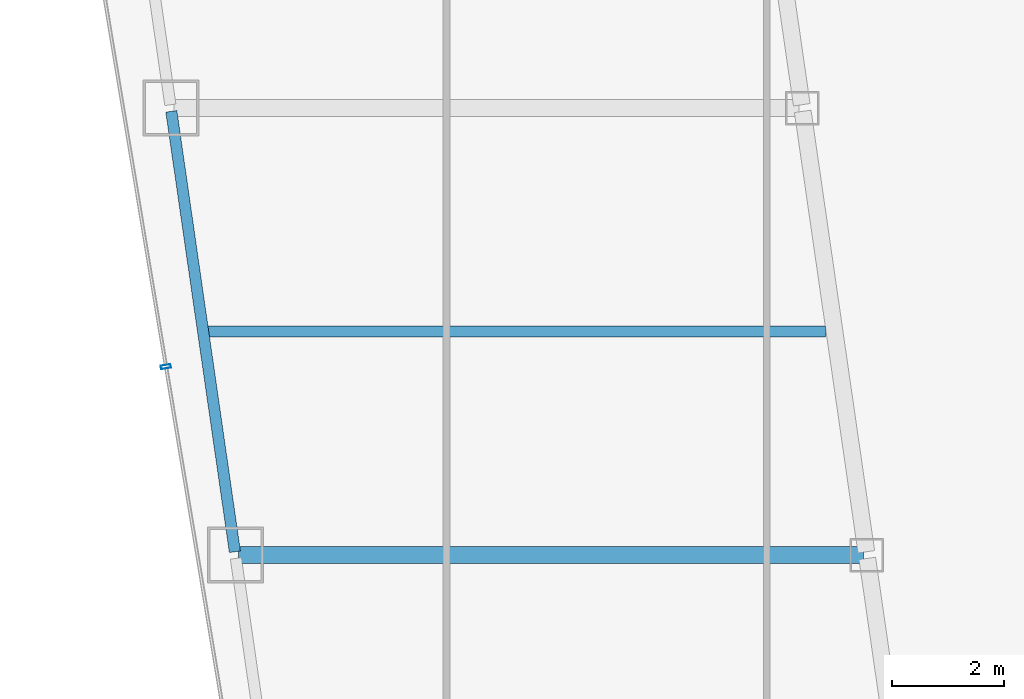
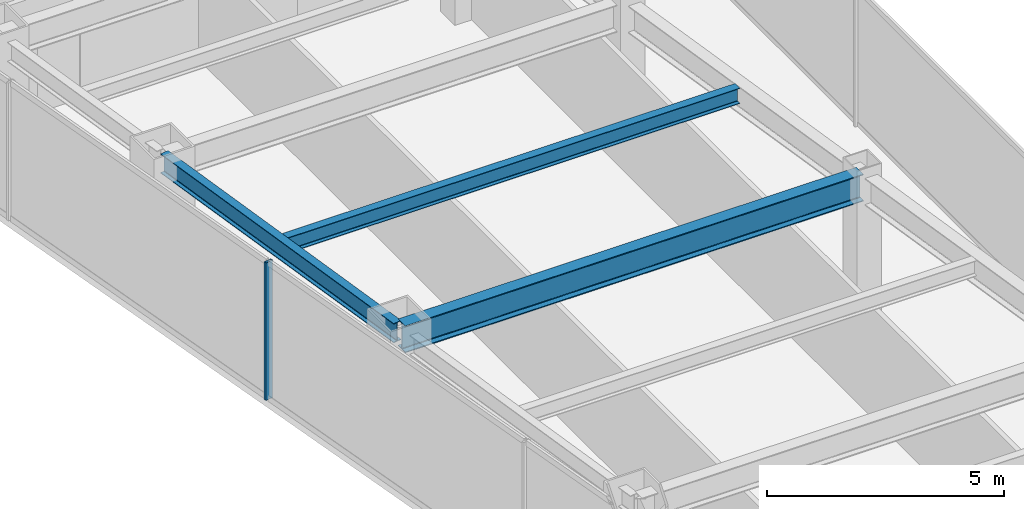
# One storey, part 10 of 40: 3 beams, 1 member, 1 element without a shape of its own.
"""IFC4 building model written with IfcOpenShell, lengths in metres."""

from ifc_helpers import new_model, si_unit, direction, frame, origin, origin_2d, place, context, subcontext, project, spatial, hollow_rectangle, i_section, extrude, material, material_profile, profile_set, type_object, element, aggregate, save


model = new_model("IFC4")

# Units and contexts
model_context = context("Model", 3, precision=1e-05, world=origin(), true_north=direction((0.0, 1.0)))
body_context = subcontext(model_context, "Body", "Model", "MODEL_VIEW")
ifc_project = project(units=[si_unit("LENGTHUNIT", "METRE"), si_unit("AREAUNIT", "SQUARE_METRE"), si_unit("VOLUMEUNIT", "CUBIC_METRE"), si_unit("PLANEANGLEUNIT", "RADIAN"), si_unit("MASSUNIT", "GRAM", prefix="KILO")], contexts=[model_context])

# Site, building, storey
site_placement = place(None, origin())
site = spatial("IfcSite", under=ifc_project, at=site_placement, CompositionType="ELEMENT")
building_placement = place(site_placement, origin())
building = spatial("IfcBuilding", under=site, at=building_placement, Name="Saevonmaru Cultural Tower", CompositionType="ELEMENT")
storey_placement = place(building_placement, frame((0.0, 0.0, 129.60009765625)))
storey = spatial("IfcBuildingStorey", under=building, at=storey_placement, Name="L27", CompositionType="ELEMENT", Elevation=129.60009765625)

# Beams
ifc_material_1 = material(Name="Steel SM355", Category="steel")
ifc_material_profile_1 = material_profile(ifc_material_1, i_section(OverallWidth=0.300048828125, OverallDepth=0.699951171875, WebThickness=0.012939453125, FlangeThickness=0.02392578125, FilletRadius=0.02587890625, at=origin_2d()), Name="H-700x300x13x24")
ifc_profile_set_1 = profile_set([ifc_material_profile_1], Name="Steel SM355")
beam_type_1 = type_object("IfcBeamType", Name="BM-G-H700", PredefinedType="BEAM", material=ifc_profile_set_1)
beam_1_placement = place(storey_placement, frame((9.531982421875, 24.0, 3.199951171875), z_axis=(1.0, 0.0, 0.0), x_axis=(0.0, 1.0, 0.0)))
element("IfcBeam", 1, at=beam_1_placement, inside=storey, type_object=beam_type_1, Name="L27 West Wing Transverse Girder 3", PredefinedType="BEAM", context=body_context, shape_type="SweptSolid", body=[
    extrude(i_section(OverallWidth=0.300048828125, OverallDepth=0.699951171875, WebThickness=0.012939453125, FlangeThickness=0.02392578125, FilletRadius=0.02587890625, at=origin_2d()), origin(), (0.0, 0.0, 1.0), 11.179931640625),
])
ifc_material_profile_2 = material_profile(ifc_material_1, i_section(OverallWidth=0.199951171875, OverallDepth=0.39990234375, WebThickness=0.008056640625, FlangeThickness=0.012939453125, FilletRadius=0.01611328125, at=origin_2d()), Name="H-400x200x8x13")
ifc_profile_set_2 = profile_set([ifc_material_profile_2], Name="Steel SM355")
beam_type_2 = type_object("IfcBeamType", Name="BM-J-H400", PredefinedType="JOIST", material=ifc_profile_set_2)
beam_2_placement = place(storey_placement, frame((8.95458984375, 28.0, 3.349853515625), z_axis=(1.0, 0.0, 0.0), x_axis=(0.0, 1.0, 0.0)))
element("IfcBeam", 2, at=beam_2_placement, inside=storey, type_object=beam_type_2, Name="L27 West Wing Floor Joist 3", PredefinedType="JOIST", context=body_context, shape_type="SweptSolid", body=[
    extrude(i_section(OverallWidth=0.199951171875, OverallDepth=0.39990234375, WebThickness=0.008056640625, FlangeThickness=0.012939453125, FilletRadius=0.01611328125, at=origin_2d()), origin(), (0.0, 0.0, 1.0), 11.08203125),
])
ifc_material_profile_3 = material_profile(ifc_material_1, i_section(OverallWidth=0.199951171875, OverallDepth=0.5, WebThickness=0.010009765625, FlangeThickness=0.01611328125, FilletRadius=0.02001953125, at=origin_2d()), Name="H-500x200x10x16")
ifc_profile_set_3 = profile_set([ifc_material_profile_3], Name="Steel SM355")
beam_type_3 = type_object("IfcBeamType", Name="BM-SP-H500", PredefinedType="SPANDREL", material=ifc_profile_set_3)
beam_3_placement = place(storey_placement, frame((9.46337890625, 24.059326171875, 3.2998046875), z_axis=(-0.142871999001, 0.989741174197, 0.0), x_axis=(-0.989741174197, -0.142871999001, 0.0)))
element("IfcBeam", 3, at=beam_3_placement, inside=storey, type_object=beam_type_3, Name="L27 West Splayed Spandrel 3", PredefinedType="SPANDREL", context=body_context, shape_type="SweptSolid", body=[
    extrude(i_section(OverallWidth=0.199951171875, OverallDepth=0.5, WebThickness=0.010009765625, FlangeThickness=0.01611328125, FilletRadius=0.02001953125, at=origin_2d()), origin(), (0.0, 0.0, 1.0), 7.963134765625),
])

# Curtain wall, member
ifc_material_2 = material(Name="Satin Bronze Anodised Aluminium", Category="aluminium")
curtain_wall_type = type_object("IfcCurtainWallType", Name="CW-SKY-GLZ", PredefinedType="NOTDEFINED", material=ifc_material_2)
curtain_wall_placement = place(storey_placement, origin())
curtain_wall = element("IfcCurtainWall", 4, at=curtain_wall_placement, inside=storey, type_object=curtain_wall_type, Name="L27 Unitised Curtain Wall E12", PredefinedType="NOTDEFINED")
ifc_material_profile_4 = material_profile(ifc_material_2, hollow_rectangle(XDim=0.06494140625, YDim=0.179931640625, WallThickness=0.00390625, at=origin_2d()), Name="ALU-MULL-180x65x4")
ifc_profile_set_4 = profile_set([ifc_material_profile_4], Name="Satin Bronze Anodised Aluminium")
member_type = type_object("IfcMemberType", Name="ML-CW-180x65", PredefinedType="MULLION", material=ifc_profile_set_4)
member_placement = place(storey_placement, frame((8.227294921875, 27.371826171875, 0.0), z_axis=(0.0, 0.0, 1.0), x_axis=(0.163998702345, -0.986460554523, 0.0)))
member = element("IfcMember", 5, at=member_placement, type_object=member_type, Name="CW-TW-L27-E12 mullion 4", PredefinedType="MULLION", context=body_context, shape_type="SweptSolid", body=[
    extrude(hollow_rectangle(XDim=0.06494140625, YDim=0.179931640625, WallThickness=0.00390625, at=origin_2d()), origin(), (0.0, 0.0, 1.0), 3.5498046875),
])
aggregate(curtain_wall, [member])

save(model, "model.ifc")
